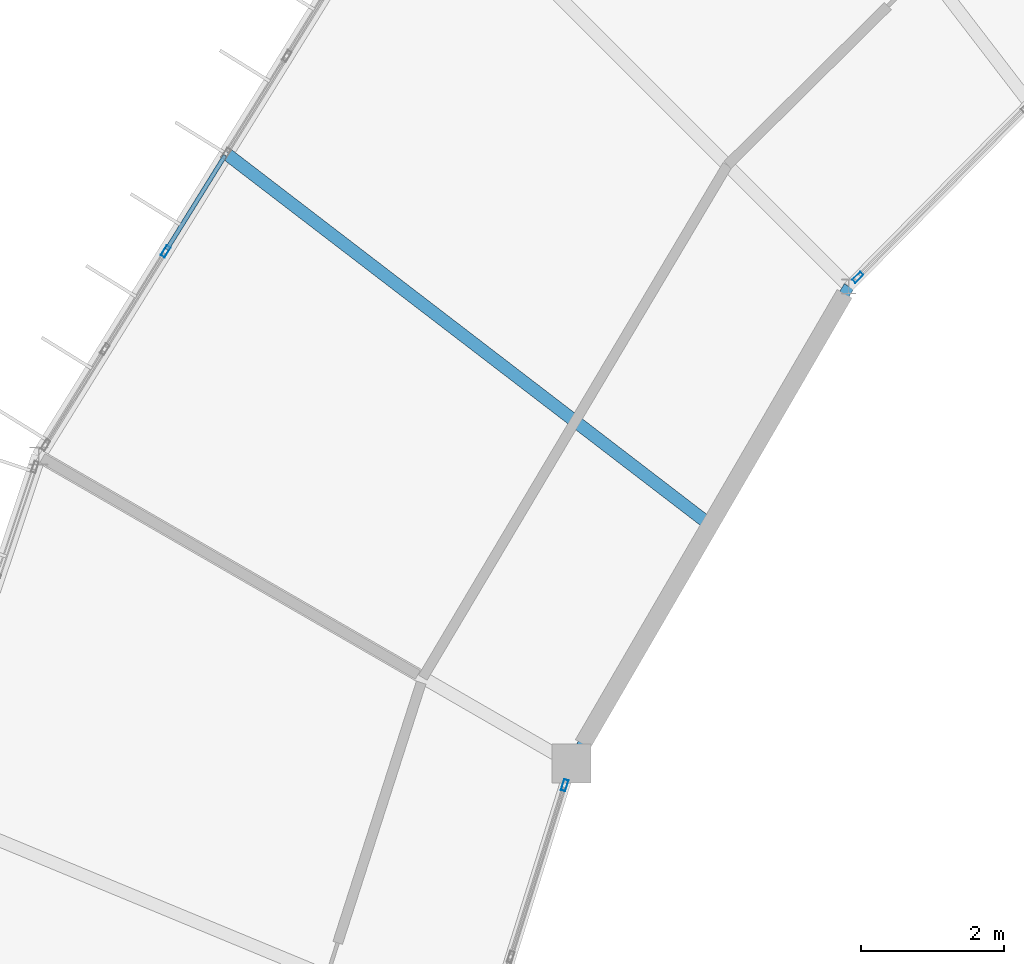
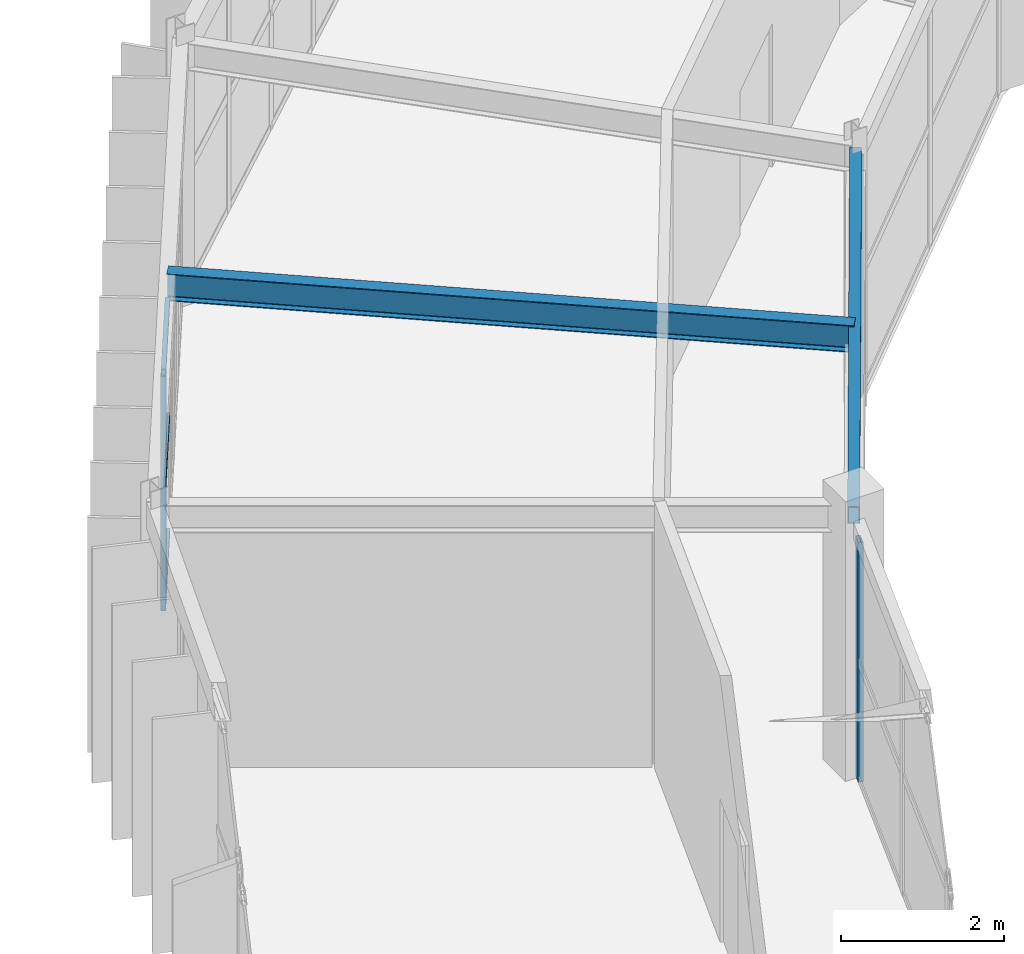
# One storey, part 56 of 106: 6 members, 2 beams, 3 elements without a shape of their own.
"""IFC4 building model written with IfcOpenShell, lengths in metres."""

from ifc_helpers import new_model, si_unit, direction, frame, origin, origin_2d, place, context, subcontext, project, spatial, hollow_rectangle, i_section, extrude, material, material_profile, profile_set, type_object, element, aggregate, save


model = new_model("IFC4")

# Units and contexts
model_context = context("Model", 3, precision=1e-05, world=origin(), true_north=direction((0.0, 1.0)))
body_context = subcontext(model_context, "Body", "Model", "MODEL_VIEW")
ifc_project = project(units=[si_unit("LENGTHUNIT", "METRE"), si_unit("AREAUNIT", "SQUARE_METRE"), si_unit("VOLUMEUNIT", "CUBIC_METRE"), si_unit("PLANEANGLEUNIT", "RADIAN"), si_unit("MASSUNIT", "GRAM", prefix="KILO")], contexts=[model_context])

# Site, building, storey
site_placement = place(None, origin())
site = spatial("IfcSite", under=ifc_project, at=site_placement, CompositionType="ELEMENT")
building_placement = place(site_placement, origin())
building = spatial("IfcBuilding", under=site, at=building_placement, Name="Karori Crest Natural Sciences Institute", CompositionType="ELEMENT")
storey_placement = place(building_placement, frame((0.0, 0.0, 25.89990234375)))
storey = spatial("IfcBuildingStorey", under=building, at=storey_placement, Name="L06", CompositionType="ELEMENT", Elevation=25.89990234375)

# Beams
ifc_material_1 = material(Name="Structural steel AS/NZS 3679.1 Grade 350", Category="steel")
ifc_material_profile_1 = material_profile(ifc_material_1, i_section(OverallWidth=0.177978515625, OverallDepth=0.406005859375, WebThickness=0.0078125, FlangeThickness=0.0126953125, FilletRadius=0.010986328125, at=origin_2d()), Name="410UB59.7")
ifc_profile_set_1 = profile_set([ifc_material_profile_1], Name="Structural steel AS/NZS 3679.1 Grade 350")
beam_type_1 = type_object("IfcBeamType", Name="BT-07", PredefinedType="BEAM", material=ifc_profile_set_1)
beam_1_placement = place(storey_placement, frame((47.207763671875, 69.33447265625, 3.739990234375), z_axis=(-0.793357888045, 0.608755502214, 0.0), x_axis=(-0.608755502214, -0.793357888045, 0.0)))
element("IfcBeam", 1, at=beam_1_placement, inside=storey, type_object=beam_type_1, Name="Beam B-2890", PredefinedType="BEAM", context=body_context, shape_type="SweptSolid", body=[
    extrude(i_section(OverallWidth=0.177978515625, OverallDepth=0.406005859375, WebThickness=0.0078125, FlangeThickness=0.0126953125, FilletRadius=0.010986328125, at=origin_2d()), origin(), (0.0, 0.0, 1.0), 8.5263671875),
])
ifc_material_2 = material(Name="Hollow structural steel AS/NZS 1163 Grade C350", Category="steel")
ifc_material_profile_2 = material_profile(ifc_material_2, hollow_rectangle(XDim=0.14990234375, YDim=0.25, WallThickness=0.009033203125, at=origin_2d()), Name="RHS250x150x9")
ifc_profile_set_2 = profile_set([ifc_material_profile_2], Name="Hollow structural steel AS/NZS 1163 Grade C350")
beam_type_2 = type_object("IfcBeamType", Name="BT-16", PredefinedType="SPANDREL", material=ifc_profile_set_2)
beam_2_placement = place(storey_placement, frame((49.146484375, 72.668701171875, 3.739990234375), z_axis=(-0.502648511326, -0.864490875638, 0.0), x_axis=(0.864490875638, -0.502648511326, 0.0)))
element("IfcBeam", 2, at=beam_2_placement, inside=storey, type_object=beam_type_2, Name="Beam B-0672", PredefinedType="SPANDREL", context=body_context, shape_type="SweptSolid", body=[
    extrude(hollow_rectangle(XDim=0.14990234375, YDim=0.25, WallThickness=0.009033203125, at=origin_2d()), origin(), (0.0, 0.0, 1.0), 7.714111328125),
])

# Curtain wall, member
ifc_material_3 = material(Name="Anodised architectural aluminium 6063-T6", Category="aluminium")
curtain_wall_type_1 = type_object("IfcCurtainWallType", Name="CWT-14", PredefinedType="NOTDEFINED", material=ifc_material_3)
curtain_wall_1_placement = place(storey_placement, origin())
curtain_wall_1 = element("IfcCurtainWall", 3, at=curtain_wall_1_placement, inside=storey, type_object=curtain_wall_type_1, Name="Curtain wall CW-0233", PredefinedType="NOTDEFINED")
ifc_material_profile_3 = material_profile(ifc_material_3, hollow_rectangle(XDim=0.06494140625, YDim=0.159912109375, WallThickness=0.00390625, at=origin_2d()), Name="CWM160x65x4")
ifc_profile_set_3 = profile_set([ifc_material_profile_3], Name="Anodised architectural aluminium 6063-T6")
member_type_1 = type_object("IfcMemberType", Name="CWM-01", PredefinedType="MULLION", material=ifc_profile_set_3)
member_1_placement = place(storey_placement, frame((49.2705078125, 72.79443359375, 0.0), z_axis=(0.0, 0.0, 1.0), x_axis=(0.711524963942, -0.702660818381, 0.0)))
member_1 = element("IfcMember", 4, at=member_1_placement, type_object=member_type_1, Name="CW-0233 mullion 3", PredefinedType="MULLION", context=body_context, shape_type="SweptSolid", body=[
    extrude(hollow_rectangle(XDim=0.06494140625, YDim=0.159912109375, WallThickness=0.00390625, at=origin_2d()), origin(), (0.0, 0.0, 1.0), 3.60009765625),
])
aggregate(curtain_wall_1, [member_1])

curtain_wall_type_2 = type_object("IfcCurtainWallType", Name="CWT-10", PredefinedType="NOTDEFINED", material=ifc_material_3)
curtain_wall_2_placement = place(storey_placement, origin())
curtain_wall_2 = element("IfcCurtainWall", 5, at=curtain_wall_2_placement, inside=storey, type_object=curtain_wall_type_2, Name="Curtain wall CW-0234", PredefinedType="NOTDEFINED")
member_2_placement = place(storey_placement, frame((39.5947265625, 73.157470703125, 0.0), z_axis=(0.0, 0.0, 1.0), x_axis=(-0.849664350398, 0.527323896352, 0.0)))
member_2 = element("IfcMember", 6, at=member_2_placement, type_object=member_type_1, Name="CW-0234 mullion 3", PredefinedType="MULLION", context=body_context, shape_type="SweptSolid", body=[
    extrude(hollow_rectangle(XDim=0.06494140625, YDim=0.159912109375, WallThickness=0.00390625, at=origin_2d()), origin(), (0.0, 0.0, 1.0), 3.525146484375),
])

curtain_wall_type_3 = type_object("IfcCurtainWallType", Name="CWT-11", PredefinedType="NOTDEFINED", material=ifc_material_3)
curtain_wall_3_placement = place(storey_placement, origin())
curtain_wall_3 = element("IfcCurtainWall", 7, at=curtain_wall_3_placement, inside=storey, type_object=curtain_wall_type_3, Name="Curtain wall CW-0236", PredefinedType="NOTDEFINED")
member_3_placement = place(storey_placement, frame((45.173583984375, 65.69580078125, 0.0), z_axis=(0.0, 0.0, 1.0), x_axis=(0.954104067778, -0.299475254154, 0.0)))
member_3 = element("IfcMember", 8, at=member_3_placement, type_object=member_type_1, Name="CW-0236 mullion 1", PredefinedType="MULLION", context=body_context, shape_type="SweptSolid", body=[
    extrude(hollow_rectangle(XDim=0.06494140625, YDim=0.159912109375, WallThickness=0.00390625, at=origin_2d()), origin(), (0.0, 0.0, 1.0), 3.60009765625),
])
aggregate(curtain_wall_3, [member_3])

# Member
ifc_material_profile_4 = material_profile(ifc_material_3, hollow_rectangle(XDim=0.06005859375, YDim=0.1201171875, WallThickness=0.00390625, at=origin_2d()), Name="CWT120x60x4")
ifc_profile_set_4 = profile_set([ifc_material_profile_4], Name="Anodised architectural aluminium 6063-T6")
member_type_2 = type_object("IfcMemberType", Name="CWT-TR1", PredefinedType="USERDEFINED", material=ifc_profile_set_4)
member_4_placement = place(storey_placement, frame((39.61181640625, 73.18505859375, 0.030029296875), z_axis=(0.527307708925, 0.849674396524, 0.0), x_axis=(-0.849674396524, 0.527307708925, 0.0)))
member_4 = element("IfcMember", 9, at=member_4_placement, type_object=member_type_2, Name="CW-0234 transom 3.1", ObjectType="TRANSOM", PredefinedType="USERDEFINED", context=body_context, shape_type="SweptSolid", body=[
    extrude(hollow_rectangle(XDim=0.06005859375, YDim=0.1201171875, WallThickness=0.00390625, at=origin_2d()), origin(), (0.0, 0.0, 1.0), 1.542724609375),
])

member_5_placement = place(storey_placement, frame((39.61181640625, 73.18505859375, 1.7626953125), z_axis=(0.527307708925, 0.849674396524, 0.0), x_axis=(-0.849674396524, 0.527307708925, 0.0)))
member_5 = element("IfcMember", 10, at=member_5_placement, type_object=member_type_2, Name="CW-0234 transom 3.2", ObjectType="TRANSOM", PredefinedType="USERDEFINED", context=body_context, shape_type="SweptSolid", body=[
    extrude(hollow_rectangle(XDim=0.06005859375, YDim=0.1201171875, WallThickness=0.00390625, at=origin_2d()), origin(), (0.0, 0.0, 1.0), 1.542724609375),
])

member_6_placement = place(storey_placement, frame((39.61181640625, 73.18505859375, 3.4951171875), z_axis=(0.527307708925, 0.849674396524, 0.0), x_axis=(-0.849674396524, 0.527307708925, 0.0)))
member_6 = element("IfcMember", 11, at=member_6_placement, type_object=member_type_2, Name="CW-0234 transom 3.3", ObjectType="TRANSOM", PredefinedType="USERDEFINED", context=body_context, shape_type="SweptSolid", body=[
    extrude(hollow_rectangle(XDim=0.06005859375, YDim=0.1201171875, WallThickness=0.00390625, at=origin_2d()), origin(), (0.0, 0.0, 1.0), 1.542724609375),
])

aggregate(curtain_wall_2, [member_2, member_4, member_5, member_6])

save(model, "model.ifc")
